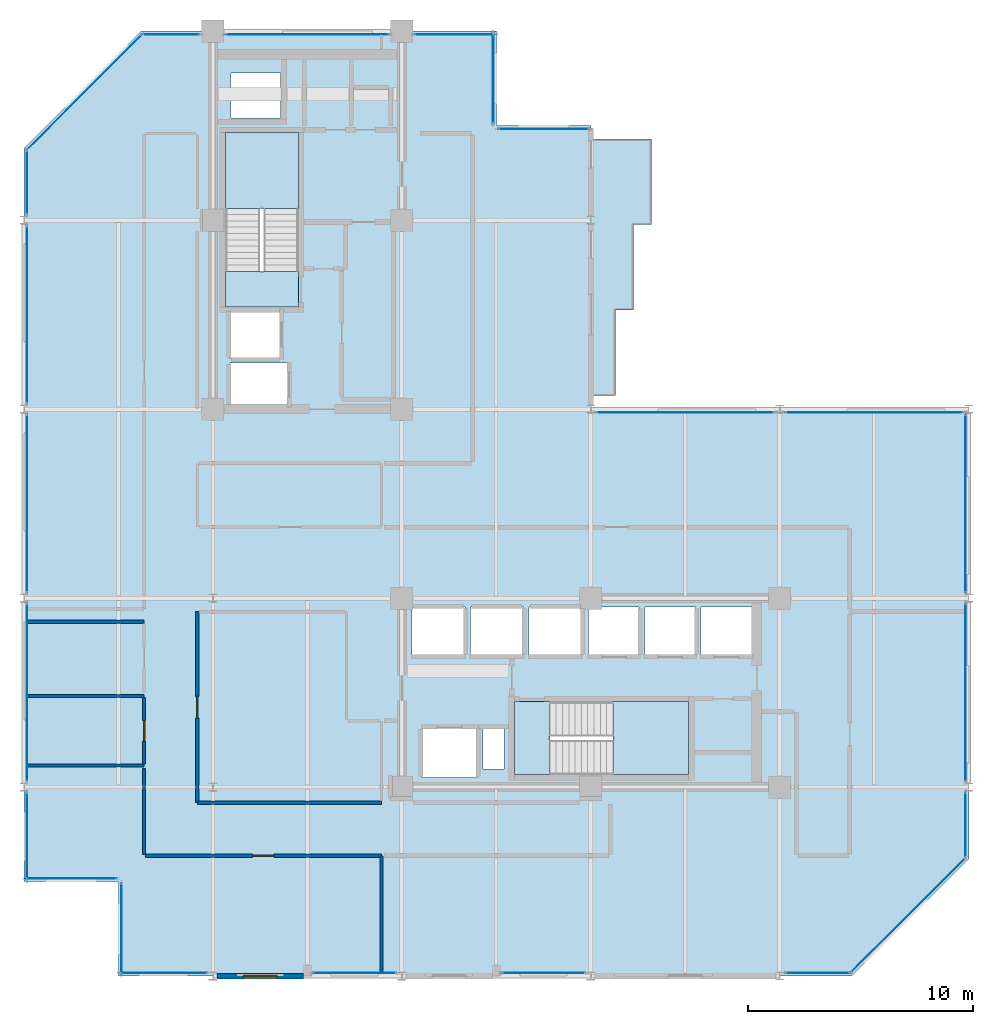
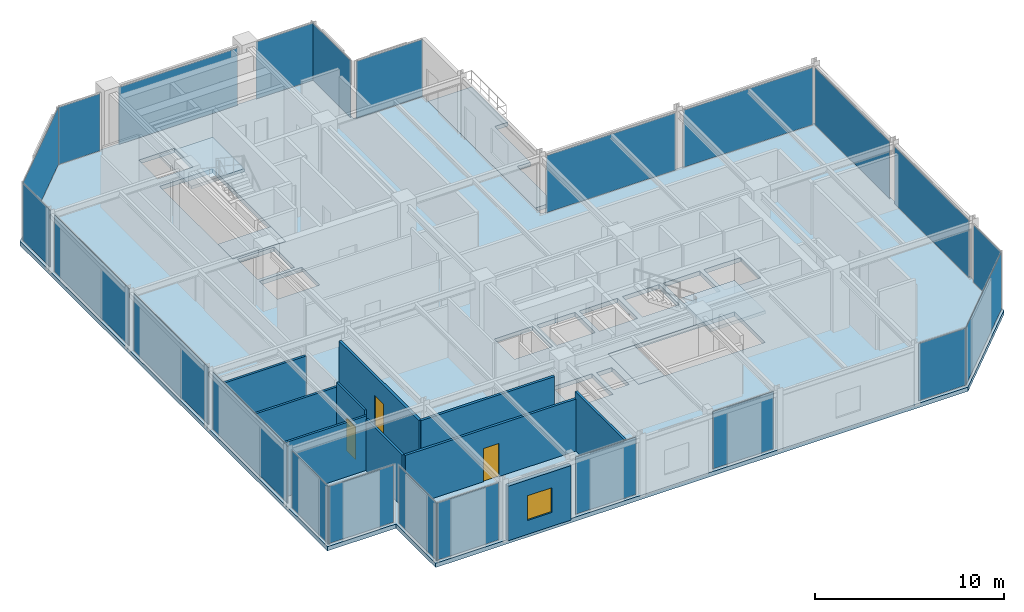
# One storey, part 19 of 25: 23 plates, 10 walls, 6 slabs, 3 doors, 1 window, 4 openings, 25 elements without a shape of their own.
"""IFC4 building model written with IfcOpenShell, lengths in metres."""

import ifcopenshell
import ifcopenshell.guid

model = None  # the IFC model being written
_history = None  # IfcOwnerHistory: only IFC2X3 demands one
_inside = {}  # id of a spatial element -> (the spatial element, [elements in it])
_under = {}  # id of a project, library or spatial element -> (it, [spatial elements below it])
_declared = {}  # id of a project -> (the project, [libraries it declares])
_typed = {}  # id of a type object -> (the type object, [elements of that type])
_made_of = {}  # id of a material, layer set ... -> (it, [elements and type objects made of it])


def new_model(schema):
    """Start an empty IFC model of exactly this schema.

    Asked for "IFC4X3", IfcOpenShell would pick the latest addendum, in which some entities
    have other attributes; the version numbers below select the first issue.
    IFC2X3 requires an IfcOwnerHistory on every rooted entity: one is made here for all.
    """
    global model, _history
    if schema == "IFC4X3":
        model = ifcopenshell.file(schema_version=(4, 3, 0, 0))
    else:
        model = ifcopenshell.file(schema=schema)
    _inside.clear()
    _under.clear()
    _declared.clear()
    _typed.clear()
    _made_of.clear()
    _history = None
    if model.schema == "IFC2X3":
        org = make("IfcOrganization", Name="unknown")
        user = make(
            "IfcPersonAndOrganization",
            ThePerson=make("IfcPerson", FamilyName="unknown"),
            TheOrganization=org,
        )
        app = make(
            "IfcApplication",
            ApplicationDeveloper=org,
            Version="unknown",
            ApplicationFullName="unknown",
            ApplicationIdentifier="unknown",
        )
        _history = make(
            "IfcOwnerHistory",
            OwningUser=user,
            OwningApplication=app,
            ChangeAction="ADDED",
            CreationDate=0,
        )
    return model


def make(cls, **values):
    """One entity of the class cls with the attributes given. An attribute that is None is left unset."""
    return model.create_entity(
        cls, **{name: value for name, value in values.items() if value is not None}
    )


def rooted(cls, **values):
    """An entity with a GlobalId (a new one), such as an element, a storey or a relation."""
    return make(cls, GlobalId=ifcopenshell.guid.new(), OwnerHistory=_history, **values)


def si_unit(unit_type, name, prefix=None):
    """IfcSIUnit, for example si_unit("LENGTHUNIT", "METRE", prefix="MILLI")."""
    return make("IfcSIUnit", UnitType=unit_type, Prefix=prefix, Name=name)


def assignment(units):
    """IfcUnitAssignment: the units of a project."""
    return None if units is None else make("IfcUnitAssignment", Units=units)


def point(xyz):
    """IfcCartesianPoint."""
    return None if xyz is None else make("IfcCartesianPoint", Coordinates=xyz)


def direction(xyz):
    """IfcDirection."""
    return None if xyz is None else make("IfcDirection", DirectionRatios=xyz)


def frame(location, z_axis=None, x_axis=None):
    """IfcAxis2Placement3D, a coordinate frame: its origin and axes. An axis left out is left unset."""
    return make(
        "IfcAxis2Placement3D",
        Location=point(location),
        Axis=direction(z_axis),
        RefDirection=direction(x_axis),
    )


def frame_2d(location, x_axis=None):
    """IfcAxis2Placement2D, a coordinate frame in the plane: its origin and x axis."""
    return make(
        "IfcAxis2Placement2D", Location=point(location), RefDirection=direction(x_axis)
    )


def origin():
    """The frame at (0, 0, 0) with its axes left unset."""
    return frame((0.0, 0.0, 0.0))


def origin_2d():
    """The frame at (0, 0) in the plane with its x axis left unset."""
    return frame_2d((0.0, 0.0))


def place(relative_to, where):
    """IfcLocalPlacement: puts the frame where relative to a parent placement (None: the world)."""
    return make(
        "IfcLocalPlacement", PlacementRelTo=relative_to, RelativePlacement=where
    )


def context(
    kind, dimensions, precision=None, world=None, true_north=None, identifier=None
):
    """IfcGeometricRepresentationContext, for example the 3D "Model" context."""
    return make(
        "IfcGeometricRepresentationContext",
        ContextIdentifier=identifier,
        ContextType=kind,
        CoordinateSpaceDimension=dimensions,
        Precision=precision,
        WorldCoordinateSystem=world,
        TrueNorth=true_north,
    )


def subcontext(parent, identifier, kind, view, scale=None):
    """IfcGeometricRepresentationSubContext, for example "Body" below "Model"."""
    return make(
        "IfcGeometricRepresentationSubContext",
        ContextIdentifier=identifier,
        ContextType=kind,
        ParentContext=parent,
        TargetScale=scale,
        TargetView=view,
    )


def project(units=None, contexts=None):
    """IfcProject with its units and contexts."""
    return rooted(
        "IfcProject",
        Name="project",
        RepresentationContexts=contexts,
        UnitsInContext=assignment(units),
    )


def spatial(cls, under=None, at=None, **own):
    """A site, building, storey or space (cls), placed at a placement, below another one or the project."""
    s = rooted(cls, ObjectPlacement=at, **own)
    if under is not None:
        _under.setdefault(under.id(), (under, []))[1].append(s)
    return s


def polyline(points):
    """IfcPolyline through the points."""
    return make("IfcPolyline", Points=[point(p) for p in points])


def profile(cls, at=None, kind="AREA", **sizes):
    """A parametric profile (cls). Its sizes go by their IFC names, for example OverallWidth=200.0."""
    return make(cls, ProfileType=kind, Position=at, **sizes)


def rectangle(**sizes):
    """IfcRectangleProfileDef."""
    return profile("IfcRectangleProfileDef", **sizes)


def outline(outer, holes=None, kind="AREA"):
    """IfcArbitraryClosedProfileDef: a profile drawn as a closed curve; with holes, ...WithVoids."""
    if holes is None:
        return make("IfcArbitraryClosedProfileDef", ProfileType=kind, OuterCurve=outer)
    return make(
        "IfcArbitraryProfileDefWithVoids",
        ProfileType=kind,
        OuterCurve=outer,
        InnerCurves=holes,
    )


def extrude(swept, where, along, depth):
    """IfcExtrudedAreaSolid: the profile swept, set in the frame where, extruded along a direction by depth."""
    return make(
        "IfcExtrudedAreaSolid",
        SweptArea=swept,
        Position=where,
        ExtrudedDirection=direction(along),
        Depth=depth,
    )


def shape(context_of_items, identifier, shape_type, items):
    """IfcShapeRepresentation: the items that make up one representation, for example the "Body"."""
    return make(
        "IfcShapeRepresentation",
        ContextOfItems=context_of_items,
        RepresentationIdentifier=identifier,
        RepresentationType=shape_type,
        Items=items,
    )


def material(Name=None, Category=None):
    """IfcMaterial."""
    return make("IfcMaterial", Name=Name, Category=Category)


def layer(
    of_material, thickness, ventilated=None, Name=None, Category=None, Priority=None
):
    """IfcMaterialLayer: one layer of a wall or slab, of a material (None: an air gap)."""
    return make(
        "IfcMaterialLayer",
        Material=of_material,
        LayerThickness=thickness,
        IsVentilated=ventilated,
        Name=Name,
        Category=Category,
        Priority=Priority,
    )


def layer_set(layers, Name=None):
    """IfcMaterialLayerSet."""
    return make("IfcMaterialLayerSet", MaterialLayers=layers, LayerSetName=Name)


def made_of(thing, what):
    """Note that an element or type object is made of a material, layer set ...; save() writes the relation."""
    if what is not None:
        _made_of.setdefault(what.id(), (what, []))[1].append(thing)
    return thing


def type_object(cls, material=None, **own):
    """A type object (cls), such as IfcWallType, which elements share."""
    return made_of(rooted(cls, **own), material)


def element(
    cls,
    number,
    at=None,
    inside=None,
    cuts=None,
    type_object=None,
    material=None,
    context=None,
    identifier="Body",
    shape_type=None,
    held_by="IfcProductDefinitionShape",
    body=None,
    shapes=None,
    **own,
):
    """One element of the class cls, such as IfcWall. Its Tag is "e" and its number.

    at: its placement. inside: the storey or other place that contains it. cuts: it is an
    opening in that element (IfcRelVoidsElement). A single representation is given by context,
    identifier, shape_type and body (its items); several are given by shapes. held_by: the class
    of the entity that holds the representations. save() writes the other relations.
    """
    e = rooted(cls, Tag="e%d" % number, ObjectPlacement=at, **own)
    if body is not None:
        shapes = [shape(context, identifier, shape_type, body)]
    if shapes is not None:
        e.Representation = make(held_by, Representations=shapes)
    if inside is not None:
        _inside.setdefault(inside.id(), (inside, []))[1].append(e)
    if cuts is not None:
        rooted(
            "IfcRelVoidsElement", RelatingBuildingElement=cuts, RelatedOpeningElement=e
        )
    if type_object is not None:
        _typed.setdefault(type_object.id(), (type_object, []))[1].append(e)
    return made_of(e, material)


def fill(opening, filler):
    """IfcRelFillsElement: the door or window that sits in an opening."""
    return rooted(
        "IfcRelFillsElement",
        RelatingOpeningElement=opening,
        RelatedBuildingElement=filler,
    )


def aggregate(whole, parts):
    """IfcRelAggregates: a whole, such as a stair, and the parts it consists of."""
    return rooted("IfcRelAggregates", RelatingObject=whole, RelatedObjects=parts)


def save(model, path):
    """Write the relations noted so far, then the file.

    IfcRelAggregates (storeys below a building ...), IfcRelContainedInSpatialStructure (elements
    in a storey), IfcRelDefinesByType, IfcRelAssociatesMaterial and IfcRelDeclares: one each for
    every whole, place, type object, material and project.
    """
    for whole, parts in _under.values():
        aggregate(whole, parts)
    for where, things in _inside.values():
        rooted(
            "IfcRelContainedInSpatialStructure",
            RelatedElements=things,
            RelatingStructure=where,
        )
    for kind, things in _typed.values():
        rooted("IfcRelDefinesByType", RelatedObjects=things, RelatingType=kind)
    for what, things in _made_of.values():
        rooted("IfcRelAssociatesMaterial", RelatedObjects=things, RelatingMaterial=what)
    for by, libraries in _declared.values():
        rooted("IfcRelDeclares", RelatingContext=by, RelatedDefinitions=libraries)
    model.write(path)


model = new_model("IFC4")

# Units and contexts
model_context = context("Model", 3, precision=1e-05, world=origin(), true_north=direction((0.0, 1.0)))
body_context = subcontext(model_context, "Body", "Model", "MODEL_VIEW")
ifc_project = project(units=[si_unit("LENGTHUNIT", "METRE"), si_unit("AREAUNIT", "SQUARE_METRE"), si_unit("VOLUMEUNIT", "CUBIC_METRE"), si_unit("PLANEANGLEUNIT", "RADIAN"), si_unit("MASSUNIT", "GRAM", prefix="KILO")], contexts=[model_context])

# Site, building, storey
site_placement = place(None, origin())
site = spatial("IfcSite", under=ifc_project, at=site_placement, CompositionType="ELEMENT")
building_placement = place(site_placement, origin())
building = spatial("IfcBuilding", under=site, at=building_placement, Name="Nerrivon Quay Data Exchange", CompositionType="ELEMENT")
storey_placement = place(building_placement, frame((0.0, 0.0, 224.699951171875)))
storey = spatial("IfcBuildingStorey", under=building, at=storey_placement, Name="L53", CompositionType="ELEMENT", Elevation=224.699951171875)

# Curtain wall, plate
ifc_material_1 = material(Name="Anodised aluminium 6063-T6", Category="aluminium")
ifc_layer_1 = layer(ifc_material_1, 0.195068359375)
ifc_layer_set_1 = layer_set([ifc_layer_1], Name="Anodised aluminium 6063-T6")
curtain_wall_type = type_object("IfcCurtainWallType", Name="CW-SYS-06", PredefinedType="NOTDEFINED", material=ifc_layer_set_1)
curtain_wall_1_placement = place(storey_placement, origin())
curtain_wall_1 = element("IfcCurtainWall", 1, at=curtain_wall_1_placement, inside=storey, type_object=curtain_wall_type, Name="L53 Unitised Curtain Wall 1", PredefinedType="NOTDEFINED")
ifc_material_2 = material(Name="Double-glazed low-E solar control glass", Category="glass")
ifc_layer_2 = layer(ifc_material_2, 0.028076171875)
ifc_layer_set_2 = layer_set([ifc_layer_2], Name="Double-glazed low-E solar control glass")
plate_type = type_object("IfcPlateType", Name="CWP-GLZ-28", PredefinedType="CURTAIN_PANEL", material=ifc_layer_set_2)
plate_1_placement = place(storey_placement, frame((39.301025390625, 2.698974609375, 0.06494140625), z_axis=(0.0, 0.0, 1.0), x_axis=(-0.707106781187, -0.707106781187, 0.0)))
plate_1 = element("IfcPlate", 2, at=plate_1_placement, type_object=plate_type, Name="CW06 panel 1.1", PredefinedType="CURTAIN_PANEL", context=body_context, shape_type="SweptSolid", body=[
    extrude(rectangle(XDim=7.203857421875, YDim=0.028076171875, at=origin_2d()), origin(), (0.0, 0.0, 1.0), 3.695068359375),
])
aggregate(curtain_wall_1, [plate_1])

curtain_wall_2_placement = place(storey_placement, origin())
curtain_wall_2 = element("IfcCurtainWall", 3, at=curtain_wall_2_placement, inside=storey, type_object=curtain_wall_type, Name="L53 Unitised Curtain Wall 2", PredefinedType="NOTDEFINED")
plate_2_placement = place(storey_placement, frame((35.28759765625, 0.139892578125, 0.06494140625), z_axis=(0.0, 0.0, 1.0), x_axis=(-1.0, 0.0, 0.0)))
plate_2 = element("IfcPlate", 4, at=plate_2_placement, type_object=plate_type, Name="CW06 panel 1.1", PredefinedType="CURTAIN_PANEL", context=body_context, shape_type="SweptSolid", body=[
    extrude(rectangle(XDim=2.875, YDim=0.028076171875, at=origin_2d()), origin(), (0.0, 0.0, 1.0), 3.695068359375),
])
aggregate(curtain_wall_2, [plate_2])

curtain_wall_3_placement = place(storey_placement, origin())
curtain_wall_3 = element("IfcCurtainWall", 5, at=curtain_wall_3_placement, inside=storey, type_object=curtain_wall_type, Name="L53 Unitised Curtain Wall 4", PredefinedType="NOTDEFINED")
plate_3_placement = place(storey_placement, frame((23.10009765625, 0.139892578125, 0.06494140625), z_axis=(0.0, 0.0, 1.0), x_axis=(-1.0, 0.0, 0.0)))
plate_3 = element("IfcPlate", 6, at=plate_3_placement, type_object=plate_type, Name="CW06 panel 1.1", PredefinedType="CURTAIN_PANEL", context=body_context, shape_type="SweptSolid", body=[
    extrude(rectangle(XDim=3.699951171875, YDim=0.028076171875, at=origin_2d()), origin(), (0.0, 0.0, 1.0), 3.695068359375),
])
aggregate(curtain_wall_3, [plate_3])

curtain_wall_4_placement = place(storey_placement, origin())
curtain_wall_4 = element("IfcCurtainWall", 7, at=curtain_wall_4_placement, inside=storey, type_object=curtain_wall_type, Name="L53 Unitised Curtain Wall 6", PredefinedType="NOTDEFINED")
plate_4_placement = place(storey_placement, frame((14.699951171875, 0.139892578125, 0.06494140625), z_axis=(0.0, 0.0, 1.0), x_axis=(-1.0, 0.0, 0.0)))
plate_4 = element("IfcPlate", 8, at=plate_4_placement, type_object=plate_type, Name="CW06 panel 1.1", PredefinedType="CURTAIN_PANEL", context=body_context, shape_type="SweptSolid", body=[
    extrude(rectangle(XDim=3.699951171875, YDim=0.028076171875, at=origin_2d()), origin(), (0.0, 0.0, 1.0), 3.695068359375),
])
aggregate(curtain_wall_4, [plate_4])

curtain_wall_5_placement = place(storey_placement, origin())
curtain_wall_5 = element("IfcCurtainWall", 9, at=curtain_wall_5_placement, inside=storey, type_object=curtain_wall_type, Name="L53 Unitised Curtain Wall 8", PredefinedType="NOTDEFINED")
plate_5_placement = place(storey_placement, frame((6.21240234375, 0.139892578125, 0.06494140625), z_axis=(0.0, 0.0, 1.0), x_axis=(-1.0, 0.0, 0.0)))
plate_5 = element("IfcPlate", 10, at=plate_5_placement, type_object=plate_type, Name="CW06 panel 1.1", PredefinedType="CURTAIN_PANEL", context=body_context, shape_type="SweptSolid", body=[
    extrude(rectangle(XDim=3.875, YDim=0.028076171875, at=origin_2d()), origin(), (0.0, 0.0, 1.0), 3.695068359375),
])
aggregate(curtain_wall_5, [plate_5])

curtain_wall_6_placement = place(storey_placement, origin())
curtain_wall_6 = element("IfcCurtainWall", 11, at=curtain_wall_6_placement, inside=storey, type_object=curtain_wall_type, Name="L53 Unitised Curtain Wall 9", PredefinedType="NOTDEFINED")
plate_6_placement = place(storey_placement, frame((4.340087890625, 2.10009765625, 0.06494140625), z_axis=(0.0, 0.0, 1.0), x_axis=(0.0, 1.0, 0.0)))
plate_6 = element("IfcPlate", 12, at=plate_6_placement, type_object=plate_type, Name="CW06 panel 1.1", PredefinedType="CURTAIN_PANEL", context=body_context, shape_type="SweptSolid", body=[
    extrude(rectangle(XDim=4.050048828125, YDim=0.028076171875, at=origin_2d()), origin(), (0.0, 0.0, 1.0), 3.695068359375),
])
aggregate(curtain_wall_6, [plate_6])

curtain_wall_7_placement = place(storey_placement, origin())
curtain_wall_7 = element("IfcCurtainWall", 13, at=curtain_wall_7_placement, inside=storey, type_object=curtain_wall_type, Name="L53 Unitised Curtain Wall 10", PredefinedType="NOTDEFINED")
plate_7_placement = place(storey_placement, frame((2.10009765625, 4.340087890625, 0.06494140625), z_axis=(0.0, 0.0, 1.0), x_axis=(-1.0, 0.0, 0.0)))
plate_7 = element("IfcPlate", 14, at=plate_7_placement, type_object=plate_type, Name="CW06 panel 1.1", PredefinedType="CURTAIN_PANEL", context=body_context, shape_type="SweptSolid", body=[
    extrude(rectangle(XDim=4.050048828125, YDim=0.028076171875, at=origin_2d()), origin(), (0.0, 0.0, 1.0), 3.695068359375),
])
aggregate(curtain_wall_7, [plate_7])

curtain_wall_8_placement = place(storey_placement, origin())
curtain_wall_8 = element("IfcCurtainWall", 15, at=curtain_wall_8_placement, inside=storey, type_object=curtain_wall_type, Name="L53 Unitised Curtain Wall 11", PredefinedType="NOTDEFINED")
plate_8_placement = place(storey_placement, frame((0.139892578125, 6.21240234375, 0.06494140625), z_axis=(0.0, 0.0, 1.0), x_axis=(0.0, 1.0, 0.0)))
plate_8 = element("IfcPlate", 16, at=plate_8_placement, type_object=plate_type, Name="CW06 panel 1.1", PredefinedType="CURTAIN_PANEL", context=body_context, shape_type="SweptSolid", body=[
    extrude(rectangle(XDim=3.875, YDim=0.028076171875, at=origin_2d()), origin(), (0.0, 0.0, 1.0), 3.695068359375),
])
aggregate(curtain_wall_8, [plate_8])

curtain_wall_9_placement = place(storey_placement, origin())
curtain_wall_9 = element("IfcCurtainWall", 17, at=curtain_wall_9_placement, inside=storey, type_object=curtain_wall_type, Name="L53 Unitised Curtain Wall 12", PredefinedType="NOTDEFINED")
plate_9_placement = place(storey_placement, frame((0.139892578125, 12.60009765625, 0.06494140625), z_axis=(0.0, 0.0, 1.0), x_axis=(0.0, 1.0, 0.0)))
plate_9 = element("IfcPlate", 18, at=plate_9_placement, type_object=plate_type, Name="CW06 panel 1.1", PredefinedType="CURTAIN_PANEL", context=body_context, shape_type="SweptSolid", body=[
    extrude(rectangle(XDim=7.89990234375, YDim=0.028076171875, at=origin_2d()), origin(), (0.0, 0.0, 1.0), 3.695068359375),
])
aggregate(curtain_wall_9, [plate_9])

curtain_wall_10_placement = place(storey_placement, origin())
curtain_wall_10 = element("IfcCurtainWall", 19, at=curtain_wall_10_placement, inside=storey, type_object=curtain_wall_type, Name="L53 Unitised Curtain Wall 13", PredefinedType="NOTDEFINED")
plate_10_placement = place(storey_placement, frame((0.139892578125, 21.0, 0.06494140625), z_axis=(0.0, 0.0, 1.0), x_axis=(0.0, 1.0, 0.0)))
plate_10 = element("IfcPlate", 20, at=plate_10_placement, type_object=plate_type, Name="CW06 panel 1.1", PredefinedType="CURTAIN_PANEL", context=body_context, shape_type="SweptSolid", body=[
    extrude(rectangle(XDim=7.89990234375, YDim=0.028076171875, at=origin_2d()), origin(), (0.0, 0.0, 1.0), 3.695068359375),
])
aggregate(curtain_wall_10, [plate_10])

curtain_wall_11_placement = place(storey_placement, origin())
curtain_wall_11 = element("IfcCurtainWall", 21, at=curtain_wall_11_placement, inside=storey, type_object=curtain_wall_type, Name="L53 Unitised Curtain Wall 14", PredefinedType="NOTDEFINED")
plate_11_placement = place(storey_placement, frame((0.139892578125, 29.39990234375, 0.06494140625), z_axis=(0.0, 0.0, 1.0), x_axis=(0.0, 1.0, 0.0)))
plate_11 = element("IfcPlate", 22, at=plate_11_placement, type_object=plate_type, Name="CW06 panel 1.1", PredefinedType="CURTAIN_PANEL", context=body_context, shape_type="SweptSolid", body=[
    extrude(rectangle(XDim=7.89990234375, YDim=0.028076171875, at=origin_2d()), origin(), (0.0, 0.0, 1.0), 3.695068359375),
])
aggregate(curtain_wall_11, [plate_11])

curtain_wall_12_placement = place(storey_placement, origin())
curtain_wall_12 = element("IfcCurtainWall", 23, at=curtain_wall_12_placement, inside=storey, type_object=curtain_wall_type, Name="L53 Unitised Curtain Wall 15", PredefinedType="NOTDEFINED")
plate_12_placement = place(storey_placement, frame((0.139892578125, 35.28759765625, 0.06494140625), z_axis=(0.0, 0.0, 1.0), x_axis=(0.0, 1.0, 0.0)))
plate_12 = element("IfcPlate", 24, at=plate_12_placement, type_object=plate_type, Name="CW06 panel 1.1", PredefinedType="CURTAIN_PANEL", context=body_context, shape_type="SweptSolid", body=[
    extrude(rectangle(XDim=2.875, YDim=0.028076171875, at=origin_2d()), origin(), (0.0, 0.0, 1.0), 3.695068359375),
])
aggregate(curtain_wall_12, [plate_12])

curtain_wall_13_placement = place(storey_placement, origin())
curtain_wall_13 = element("IfcCurtainWall", 25, at=curtain_wall_13_placement, inside=storey, type_object=curtain_wall_type, Name="L53 Unitised Curtain Wall 16", PredefinedType="NOTDEFINED")
plate_13_placement = place(storey_placement, frame((2.698974609375, 39.301025390625, 0.06494140625), z_axis=(0.0, 0.0, 1.0), x_axis=(0.707106781187, 0.707106781187, 0.0)))
plate_13 = element("IfcPlate", 26, at=plate_13_placement, type_object=plate_type, Name="CW06 panel 1.1", PredefinedType="CURTAIN_PANEL", context=body_context, shape_type="SweptSolid", body=[
    extrude(rectangle(XDim=7.203857421875, YDim=0.028076171875, at=origin_2d()), origin(), (0.0, 0.0, 1.0), 3.695068359375),
])
aggregate(curtain_wall_13, [plate_13])

curtain_wall_14_placement = place(storey_placement, origin())
curtain_wall_14 = element("IfcCurtainWall", 27, at=curtain_wall_14_placement, inside=storey, type_object=curtain_wall_type, Name="L53 Unitised Curtain Wall 17", PredefinedType="NOTDEFINED")
plate_14_placement = place(storey_placement, frame((6.550048828125, 41.860107421875, 0.06494140625), z_axis=(0.0, 0.0, 1.0), x_axis=(1.0, 0.0, 0.0)))
plate_14 = element("IfcPlate", 28, at=plate_14_placement, type_object=plate_type, Name="CW06 panel 1.1", PredefinedType="CURTAIN_PANEL", context=body_context, shape_type="SweptSolid", body=[
    extrude(rectangle(XDim=2.550048828125, YDim=0.028076171875, at=origin_2d()), origin(), (0.0, 0.0, 1.0), 3.695068359375),
])
aggregate(curtain_wall_14, [plate_14])

curtain_wall_15_placement = place(storey_placement, origin())
curtain_wall_15 = element("IfcCurtainWall", 29, at=curtain_wall_15_placement, inside=storey, type_object=curtain_wall_type, Name="L53 Unitised Curtain Wall 18", PredefinedType="NOTDEFINED")
plate_15_placement = place(storey_placement, frame((12.60009765625, 41.860107421875, 0.06494140625), z_axis=(0.0, 0.0, 1.0), x_axis=(1.0, 0.0, 0.0)))
plate_15 = element("IfcPlate", 30, at=plate_15_placement, type_object=plate_type, Name="CW06 panel 1.1", PredefinedType="CURTAIN_PANEL", context=body_context, shape_type="SweptSolid", body=[
    extrude(rectangle(XDim=7.25, YDim=0.028076171875, at=origin_2d()), origin(), (0.0, 0.0, 1.0), 3.695068359375),
])
aggregate(curtain_wall_15, [plate_15])

curtain_wall_16_placement = place(storey_placement, origin())
curtain_wall_16 = element("IfcCurtainWall", 31, at=curtain_wall_16_placement, inside=storey, type_object=curtain_wall_type, Name="L53 Unitised Curtain Wall 19", PredefinedType="NOTDEFINED")
plate_16_placement = place(storey_placement, frame((19.14990234375, 41.860107421875, 0.06494140625), z_axis=(0.0, 0.0, 1.0), x_axis=(1.0, 0.0, 0.0)))
plate_16 = element("IfcPlate", 32, at=plate_16_placement, type_object=plate_type, Name="CW06 panel 1.1", PredefinedType="CURTAIN_PANEL", context=body_context, shape_type="SweptSolid", body=[
    extrude(rectangle(XDim=3.550048828125, YDim=0.028076171875, at=origin_2d()), origin(), (0.0, 0.0, 1.0), 3.695068359375),
])
aggregate(curtain_wall_16, [plate_16])

curtain_wall_17_placement = place(storey_placement, origin())
curtain_wall_17 = element("IfcCurtainWall", 33, at=curtain_wall_17_placement, inside=storey, type_object=curtain_wall_type, Name="L53 Unitised Curtain Wall 20", PredefinedType="NOTDEFINED")
plate_17_placement = place(storey_placement, frame((20.860107421875, 39.89990234375, 0.06494140625), z_axis=(0.0, 0.0, 1.0), x_axis=(0.0, -1.0, 0.0)))
plate_17 = element("IfcPlate", 34, at=plate_17_placement, type_object=plate_type, Name="CW06 panel 1.1", PredefinedType="CURTAIN_PANEL", context=body_context, shape_type="SweptSolid", body=[
    extrude(rectangle(XDim=4.050048828125, YDim=0.028076171875, at=origin_2d()), origin(), (0.0, 0.0, 1.0), 3.695068359375),
])
aggregate(curtain_wall_17, [plate_17])

curtain_wall_18_placement = place(storey_placement, origin())
curtain_wall_18 = element("IfcCurtainWall", 35, at=curtain_wall_18_placement, inside=storey, type_object=curtain_wall_type, Name="L53 Unitised Curtain Wall 21", PredefinedType="NOTDEFINED")
plate_18_placement = place(storey_placement, frame((23.10009765625, 37.659912109375, 0.06494140625), z_axis=(0.0, 0.0, 1.0), x_axis=(1.0, 0.0, 0.0)))
plate_18 = element("IfcPlate", 36, at=plate_18_placement, type_object=plate_type, Name="CW06 panel 1.1", PredefinedType="CURTAIN_PANEL", context=body_context, shape_type="SweptSolid", body=[
    extrude(rectangle(XDim=4.050048828125, YDim=0.028076171875, at=origin_2d()), origin(), (0.0, 0.0, 1.0), 3.695068359375),
])
aggregate(curtain_wall_18, [plate_18])

curtain_wall_19_placement = place(storey_placement, origin())
curtain_wall_19 = element("IfcCurtainWall", 37, at=curtain_wall_19_placement, inside=storey, type_object=curtain_wall_type, Name="L53 Unitised Curtain Wall 24", PredefinedType="NOTDEFINED")
plate_19_placement = place(storey_placement, frame((29.39990234375, 25.06005859375, 0.06494140625), z_axis=(0.0, 0.0, 1.0), x_axis=(1.0, 0.0, 0.0)))
plate_19 = element("IfcPlate", 38, at=plate_19_placement, type_object=plate_type, Name="CW06 panel 1.1", PredefinedType="CURTAIN_PANEL", context=body_context, shape_type="SweptSolid", body=[
    extrude(rectangle(XDim=7.89990234375, YDim=0.028076171875, at=origin_2d()), origin(), (0.0, 0.0, 1.0), 3.695068359375),
])
aggregate(curtain_wall_19, [plate_19])

curtain_wall_20_placement = place(storey_placement, origin())
curtain_wall_20 = element("IfcCurtainWall", 39, at=curtain_wall_20_placement, inside=storey, type_object=curtain_wall_type, Name="L53 Unitised Curtain Wall 25", PredefinedType="NOTDEFINED")
plate_20_placement = place(storey_placement, frame((37.800048828125, 25.06005859375, 0.06494140625), z_axis=(0.0, 0.0, 1.0), x_axis=(1.0, 0.0, 0.0)))
plate_20 = element("IfcPlate", 40, at=plate_20_placement, type_object=plate_type, Name="CW06 panel 1.1", PredefinedType="CURTAIN_PANEL", context=body_context, shape_type="SweptSolid", body=[
    extrude(rectangle(XDim=7.89990234375, YDim=0.028076171875, at=origin_2d()), origin(), (0.0, 0.0, 1.0), 3.695068359375),
])
aggregate(curtain_wall_20, [plate_20])

curtain_wall_21_placement = place(storey_placement, origin())
curtain_wall_21 = element("IfcCurtainWall", 41, at=curtain_wall_21_placement, inside=storey, type_object=curtain_wall_type, Name="L53 Unitised Curtain Wall 26", PredefinedType="NOTDEFINED")
plate_21_placement = place(storey_placement, frame((41.860107421875, 21.0, 0.06494140625), z_axis=(0.0, 0.0, 1.0), x_axis=(0.0, -1.0, 0.0)))
plate_21 = element("IfcPlate", 42, at=plate_21_placement, type_object=plate_type, Name="CW06 panel 1.1", PredefinedType="CURTAIN_PANEL", context=body_context, shape_type="SweptSolid", body=[
    extrude(rectangle(XDim=7.89990234375, YDim=0.028076171875, at=origin_2d()), origin(), (0.0, 0.0, 1.0), 3.695068359375),
])
aggregate(curtain_wall_21, [plate_21])

curtain_wall_22_placement = place(storey_placement, origin())
curtain_wall_22 = element("IfcCurtainWall", 43, at=curtain_wall_22_placement, inside=storey, type_object=curtain_wall_type, Name="L53 Unitised Curtain Wall 27", PredefinedType="NOTDEFINED")
plate_22_placement = place(storey_placement, frame((41.860107421875, 12.60009765625, 0.06494140625), z_axis=(0.0, 0.0, 1.0), x_axis=(0.0, -1.0, 0.0)))
plate_22 = element("IfcPlate", 44, at=plate_22_placement, type_object=plate_type, Name="CW06 panel 1.1", PredefinedType="CURTAIN_PANEL", context=body_context, shape_type="SweptSolid", body=[
    extrude(rectangle(XDim=7.89990234375, YDim=0.028076171875, at=origin_2d()), origin(), (0.0, 0.0, 1.0), 3.695068359375),
])
aggregate(curtain_wall_22, [plate_22])

curtain_wall_23_placement = place(storey_placement, origin())
curtain_wall_23 = element("IfcCurtainWall", 45, at=curtain_wall_23_placement, inside=storey, type_object=curtain_wall_type, Name="L53 Unitised Curtain Wall 28", PredefinedType="NOTDEFINED")
plate_23_placement = place(storey_placement, frame((41.860107421875, 6.71240234375, 0.06494140625), z_axis=(0.0, 0.0, 1.0), x_axis=(0.0, -1.0, 0.0)))
plate_23 = element("IfcPlate", 46, at=plate_23_placement, type_object=plate_type, Name="CW06 panel 1.1", PredefinedType="CURTAIN_PANEL", context=body_context, shape_type="SweptSolid", body=[
    extrude(rectangle(XDim=2.875, YDim=0.028076171875, at=origin_2d()), origin(), (0.0, 0.0, 1.0), 3.695068359375),
])
aggregate(curtain_wall_23, [plate_23])

# Slab
ifc_material_3 = material(Name="Precast white architectural concrete N50 (50 MPa)", Category="concrete")
ifc_layer_3 = layer(ifc_material_3, 0.25)
ifc_layer_set_3 = layer_set([ifc_layer_3], Name="Precast white architectural concrete N50 (50 MPa)")
slab_type_1 = type_object("IfcSlabType", Name="SLB-BAL-250", PredefinedType="FLOOR", material=ifc_layer_set_3)
slab_1_placement = place(storey_placement, frame((0.0, 0.0, -0.25)))
element("IfcSlab", 47, at=slab_1_placement, inside=storey, type_object=slab_type_1, Name="L53 Waterfront Subtropical Verandah", PredefinedType="FLOOR", context=body_context, shape_type="SweptSolid", body=[
    extrude(outline(polyline([(26.300048828125, 29.60009765625), (27.10009765625, 29.60009765625), (27.10009765625, 33.39990234375), (27.89990234375, 33.39990234375), (27.89990234375, 37.199951171875), (25.199951171875, 37.199951171875), (25.199951171875, 33.39990234375), (25.199951171875, 29.60009765625), (25.199951171875, 25.800048828125), (26.300048828125, 25.800048828125), (26.300048828125, 29.60009765625)])), origin(), (0.0, 0.0, 1.0), 0.25),
])

# Stair, slab
ifc_material_4 = material(Name="Concrete N50 (50 MPa)", Category="concrete")
stair_type = type_object("IfcStairType", Name="STAIR-DOG-41", PredefinedType="HALF_TURN_STAIR", material=ifc_material_4)
stair_1_placement = place(storey_placement, origin())
stair_1 = element("IfcStair", 48, at=stair_1_placement, inside=storey, type_object=stair_type, Name="L53 West Core Fire Stair ST01", PredefinedType="HALF_TURN_STAIR")
ifc_layer_4 = layer(ifc_material_4, 0.199951171875)
ifc_layer_set_4 = layer_set([ifc_layer_4], Name="Concrete N50 (50 MPa)")
slab_type_2 = type_object("IfcSlabType", Name="SLB-LAND-200", PredefinedType="LANDING", material=ifc_layer_set_4)
slab_2_placement = place(storey_placement, frame((0.0, 0.0, 1.85009765625)))
slab_2 = element("IfcSlab", 49, at=slab_2_placement, type_object=slab_type_2, Name="ST01 landing 1", PredefinedType="LANDING", context=body_context, shape_type="SweptSolid", body=[
    extrude(outline(polyline([(12.199951171875, 34.1298828125), (12.199951171875, 37.5), (8.949951171875, 37.5), (8.949951171875, 34.1298828125), (12.199951171875, 34.1298828125)])), origin(), (0.0, 0.0, 1.0), 0.199951171875),
])
aggregate(stair_1, [slab_2])

# Slab
slab_3_placement = place(storey_placement, frame((0.0, 0.0, -0.199951171875)))
element("IfcSlab", 50, at=slab_3_placement, inside=storey, type_object=slab_type_2, Name="L53 ST01 floor landing", PredefinedType="LANDING", context=body_context, shape_type="SweptSolid", body=[
    extrude(outline(polyline([(12.199951171875, 29.75), (12.199951171875, 31.330078125), (8.949951171875, 31.330078125), (8.949951171875, 29.75), (12.199951171875, 29.75)])), origin(), (0.0, 0.0, 1.0), 0.199951171875),
])

# Stair, slab
stair_2_placement = place(storey_placement, origin())
stair_2 = element("IfcStair", 51, at=stair_2_placement, inside=storey, type_object=stair_type, Name="L53 East Core Fire Stair ST02", PredefinedType="HALF_TURN_STAIR")
slab_4_placement = place(storey_placement, frame((0.0, 0.0, 1.85009765625)))
slab_4 = element("IfcSlab", 52, at=slab_4_placement, type_object=slab_type_2, Name="ST02 landing 1", PredefinedType="LANDING", context=body_context, shape_type="SweptSolid", body=[
    extrude(outline(polyline([(26.179931640625, 8.949951171875), (29.550048828125, 8.949951171875), (29.550048828125, 12.199951171875), (26.179931640625, 12.199951171875), (26.179931640625, 8.949951171875)])), origin(), (0.0, 0.0, 1.0), 0.199951171875),
])
aggregate(stair_2, [slab_4])

# Slabs
slab_5_placement = place(storey_placement, frame((0.0, 0.0, -0.199951171875)))
element("IfcSlab", 53, at=slab_5_placement, inside=storey, type_object=slab_type_2, Name="L53 ST02 floor landing", PredefinedType="LANDING", context=body_context, shape_type="SweptSolid", body=[
    extrude(outline(polyline([(21.800048828125, 8.949951171875), (23.3798828125, 8.949951171875), (23.3798828125, 12.199951171875), (21.800048828125, 12.199951171875), (21.800048828125, 8.949951171875)])), origin(), (0.0, 0.0, 1.0), 0.199951171875),
])
ifc_layer_5 = layer(ifc_material_4, 0.27490234375)
ifc_layer_set_5 = layer_set([ifc_layer_5], Name="Concrete N50 (50 MPa)")
slab_type_3 = type_object("IfcSlabType", Name="SLB-TOW-275", PredefinedType="FLOOR", material=ifc_layer_set_5)
slab_6_placement = place(storey_placement, frame((0.0, 0.0, -0.27490234375)))
element("IfcSlab", 54, at=slab_6_placement, inside=storey, type_object=slab_type_3, Name="L53 Primary Structural Slab", PredefinedType="FLOOR", context=body_context, shape_type="SweptSolid", body=[
    extrude(outline(polyline([(42.0, 25.199951171875), (25.199951171875, 25.199951171875), (25.199951171875, 37.800048828125), (21.0, 37.800048828125), (21.0, 42.0), (5.199951171875, 42.0), (0.0, 36.800048828125), (0.0, 4.199951171875), (4.199951171875, 4.199951171875), (4.199951171875, 0.0), (36.800048828125, 0.0), (42.0, 5.199951171875), (42.0, 25.199951171875)]), holes=[polyline([(8.949951171875, 29.75), (8.949951171875, 37.5), (12.199951171875, 37.5), (12.199951171875, 29.75), (8.949951171875, 29.75)]), polyline([(21.800048828125, 12.199951171875), (29.550048828125, 12.199951171875), (29.550048828125, 8.949951171875), (21.800048828125, 8.949951171875), (21.800048828125, 12.199951171875)]), polyline([(30.10009765625, 16.39990234375), (32.35009765625, 16.39990234375), (32.35009765625, 14.25), (30.10009765625, 14.25), (30.10009765625, 16.39990234375)]), polyline([(27.60009765625, 16.39990234375), (29.85009765625, 16.39990234375), (29.85009765625, 14.25), (27.60009765625, 14.25), (27.60009765625, 16.39990234375)]), polyline([(25.10009765625, 14.25), (25.10009765625, 16.39990234375), (27.35009765625, 16.39990234375), (27.35009765625, 14.25), (25.10009765625, 14.25)]), polyline([(22.449951171875, 16.39990234375), (24.800048828125, 16.39990234375), (24.800048828125, 14.25), (22.449951171875, 14.25), (22.449951171875, 16.39990234375)]), polyline([(19.85009765625, 16.39990234375), (22.199951171875, 16.39990234375), (22.199951171875, 14.25), (19.85009765625, 14.25), (19.85009765625, 16.39990234375)]), polyline([(20.39990234375, 9.199951171875), (20.39990234375, 11.0), (21.35009765625, 11.0), (21.35009765625, 9.199951171875), (20.39990234375, 9.199951171875)]), polyline([(17.699951171875, 8.830078125), (17.699951171875, 11.030029296875), (20.14990234375, 11.030029296875), (20.14990234375, 8.830078125), (17.699951171875, 8.830078125)]), polyline([(17.25, 14.25), (17.25, 16.39990234375), (19.60009765625, 16.39990234375), (19.60009765625, 14.25), (17.25, 14.25)]), polyline([(9.14990234375, 27.25), (11.75, 27.25), (11.75, 25.35009765625), (9.14990234375, 25.35009765625), (9.14990234375, 27.25)]), polyline([(9.14990234375, 29.60009765625), (11.39990234375, 29.60009765625), (11.39990234375, 27.449951171875), (9.14990234375, 27.449951171875), (9.14990234375, 29.60009765625)]), polyline([(9.199951171875, 38.14990234375), (9.199951171875, 40.14990234375), (11.39990234375, 40.14990234375), (11.39990234375, 38.14990234375), (9.199951171875, 38.14990234375)])]), origin(), (0.0, 0.0, 1.0), 0.27490234375),
])

# Wall, opening, window
ifc_material_5 = material(Name="Architectural terracotta precast concrete N50 (50 MPa)", Category="masonry")
ifc_layer_6 = layer(ifc_material_5, 0.239990234375)
ifc_layer_set_6 = layer_set([ifc_layer_6], Name="Architectural terracotta precast concrete N50 (50 MPa)")
wall_type_1 = type_object("IfcWallType", Name="EW-PREC-240", PredefinedType="STANDARD", material=ifc_layer_set_6)
wall_1_placement = place(storey_placement, frame((12.425048828125, 0.0, 0.0), z_axis=(0.0, 0.0, 1.0), x_axis=(-1.0, 0.0, 0.0)))
wall_1 = element("IfcWall", 55, at=wall_1_placement, inside=storey, type_object=wall_type_1, Name="L53 Podium Precast Spandrel Wall 7", PredefinedType="STANDARD", context=body_context, shape_type="SweptSolid", body=[
    extrude(rectangle(XDim=3.85009765625, YDim=0.239990234375, at=frame_2d((1.925048828125, 0.0))), origin(), (0.0, 0.0, 1.0), 3.525146484375),
])
opening_1_placement = place(wall_1_placement, frame((1.175048828125, 0.0, 0.89990234375)))
opening_1 = element("IfcOpeningElement", 56, at=opening_1_placement, cuts=wall_1, Name="Opening WN4", PredefinedType="OPENING", context=body_context, shape_type="SweptSolid", body=[
    extrude(rectangle(XDim=1.5, YDim=1.60009765625, at=frame_2d((0.75, 0.800048828125))), frame((0.0, 0.1298828125, 0.0), z_axis=(0.0, -1.0, 0.0), x_axis=(1.0, 0.0, 0.0)), (0.0, 0.0, 1.0), 0.260009765625),
])
window_type = type_object("IfcWindowType", Name="WIN-W4-1500x1600", PartitioningType="SINGLE_PANEL", PredefinedType="WINDOW", material=ifc_material_2)
window_placement = place(opening_1_placement, origin())
window = element("IfcWindow", 57, at=window_placement, inside=storey, type_object=window_type, Name="L53 Solar Facade Window 7", OverallHeight=1.60009765625, OverallWidth=1.5, PartitioningType="SINGLE_PANEL", PredefinedType="WINDOW", context=body_context, shape_type="SweptSolid", body=[
    extrude(rectangle(XDim=1.5, YDim=1.60009765625, at=frame_2d((0.75, 0.800048828125))), frame((0.0, 0.030029296875, 0.0), z_axis=(0.0, -1.0, 0.0), x_axis=(1.0, 0.0, 0.0)), (0.0, 0.0, 1.0), 0.06005859375),
])
fill(opening_1, window)

# Wall, opening, door
ifc_material_6 = material(Name="Gypsum plasterboard on cold-formed framing", Category="gypsum")
ifc_layer_7 = layer(ifc_material_6, 0.1201171875)
ifc_layer_set_7 = layer_set([ifc_layer_7], Name="Gypsum plasterboard on cold-formed framing")
wall_type_2 = type_object("IfcWallType", Name="WALL-PT-120", PredefinedType="PARTITIONING", material=ifc_layer_set_7)
wall_2_placement = place(storey_placement, frame((5.340087890625, 9.42138671875, 0.0), z_axis=(0.0, 0.0, 1.0), x_axis=(0.0, 1.0, 0.0)))
wall_2 = element("IfcWall", 58, at=wall_2_placement, inside=storey, type_object=wall_type_2, Name="L53 Partition Accessible Toilet", PredefinedType="PARTITIONING", context=body_context, shape_type="SweptSolid", body=[
    extrude(rectangle(XDim=2.95703125, YDim=0.1201171875, at=frame_2d((1.478515625, 0.0))), origin(), (0.0, 0.0, 1.0), 3.824951171875),
])
opening_2_placement = place(wall_2_placement, frame((1.0185546875, 0.0, 0.0)))
opening_2 = element("IfcOpeningElement", 59, at=opening_2_placement, cuts=wall_2, Name="Opening D-WC", PredefinedType="OPENING", context=body_context, shape_type="SweptSolid", body=[
    extrude(rectangle(XDim=0.919921875, YDim=2.10009765625, at=frame_2d((0.4599609375, 1.050048828125))), frame((0.0, 0.070068359375, 0.0), z_axis=(0.0, -1.0, 0.0), x_axis=(1.0, 0.0, 0.0)), (0.0, 0.0, 1.0), 0.14013671875),
])
ifc_material_7 = material(Name="Engineered hardwood timber", Category="wood")
door_type_1 = type_object("IfcDoorType", Name="DR-WC-920", OperationType="NOTDEFINED", PredefinedType="DOOR", material=ifc_material_7)
door_1_placement = place(opening_2_placement, origin())
door_1 = element("IfcDoor", 60, at=door_1_placement, inside=storey, type_object=door_type_1, Name="L53 Door Accessible Toilet", OperationType="SINGLE_SWING_RIGHT", OverallHeight=2.10009765625, OverallWidth=0.919921875, PredefinedType="DOOR", context=body_context, shape_type="SweptSolid", body=[
    extrude(rectangle(XDim=0.919921875, YDim=2.10009765625, at=frame_2d((0.4599609375, 1.050048828125))), frame((0.0, 0.02490234375, 0.0), z_axis=(0.0, -1.0, 0.0), x_axis=(1.0, 0.0, 0.0)), (0.0, 0.0, 1.0), 0.050048828125),
])
fill(opening_2, door_1)

# Walls
ifc_layer_8 = layer(ifc_material_6, 0.135009765625)
ifc_layer_set_8 = layer_set([ifc_layer_8], Name="Gypsum plasterboard on cold-formed framing")
wall_type_3 = type_object("IfcWallType", Name="WALL-PT-135", PredefinedType="PARTITIONING", material=ifc_layer_set_8)
for number, where, z_axis, x_axis, name in (
    (61, (5.340087890625, 12.449951171875, 0.0), (0.0, 0.0, 1.0), (-1.0, 0.0, 0.0), "L53 Partition Accessible Toilet"),
    (62, (0.1689453125, 9.35009765625, 0.0), (0.0, 0.0, 1.0), (1.0, 0.0, 0.0), "L53 Partition Accessible Toilet"),
    (63, (5.340087890625, 15.75, 0.0), (0.0, 0.0, 1.0), (-1.0, 0.0, 0.0), "L53 Partition Public Washrooms"),
):
    element("IfcWall", number, at=place(storey_placement, frame(where, z_axis=z_axis, x_axis=x_axis)), inside=storey, type_object=wall_type_3, Name=name, PredefinedType="PARTITIONING", context=body_context, shape_type="SweptSolid", body=[
        extrude(rectangle(XDim=5.171142578125, YDim=0.135009765625, at=frame_2d((2.58544921875, 0.0))), origin(), (0.0, 0.0, 1.0), 3.51806640625),
    ])
wall_3_placement = place(storey_placement, frame((15.89453125, 0.1689453125, 0.0), z_axis=(0.0, 0.0, 1.0), x_axis=(0.0, 1.0, 0.0)))
element("IfcWall", 64, at=wall_3_placement, inside=storey, type_object=wall_type_3, Name="L53 Partition Peering Day Lounge", PredefinedType="PARTITIONING", context=body_context, shape_type="SweptSolid", body=[
    extrude(rectangle(XDim=5.171142578125, YDim=0.135009765625, at=frame_2d((2.58544921875, 0.0))), origin(), (0.0, 0.0, 1.0), 3.824951171875),
])
wall_4_placement = place(storey_placement, frame((5.340087890625, 5.39990234375, 0.0), z_axis=(0.0, 0.0, 1.0), x_axis=(0.0, 1.0, 0.0)))
element("IfcWall", 65, at=wall_4_placement, inside=storey, type_object=wall_type_3, Name="L53 Partition Peering Day Lounge", PredefinedType="PARTITIONING", context=body_context, shape_type="SweptSolid", body=[
    extrude(rectangle(XDim=3.830078125, YDim=0.135009765625, at=frame_2d((1.9150390625, 0.0))), origin(), (0.0, 0.0, 1.0), 3.364990234375),
])

# Wall, opening, door
ifc_layer_9 = layer(ifc_material_6, 0.14990234375)
ifc_layer_set_9 = layer_set([ifc_layer_9], Name="Gypsum plasterboard on cold-formed framing")
wall_type_4 = type_object("IfcWallType", Name="WALL-PT-150", PredefinedType="PARTITIONING", material=ifc_layer_set_9)
wall_5_placement = place(storey_placement, frame((7.7099609375, 16.20068359375, 0.0), z_axis=(0.0, 0.0, 1.0), x_axis=(0.0, -1.0, 0.0)))
wall_5 = element("IfcWall", 66, at=wall_5_placement, inside=storey, type_object=wall_type_4, Name="L53 Partition Engineers Lounge", PredefinedType="PARTITIONING", context=body_context, shape_type="SweptSolid", body=[
    extrude(rectangle(XDim=8.49072265625, YDim=0.14990234375, at=frame_2d((4.245361328125, 0.0))), origin(), (0.0, 0.0, 1.0), 3.364990234375),
])
opening_3_placement = place(wall_5_placement, frame((3.7705078125, 0.0, 0.0)))
opening_3 = element("IfcOpeningElement", 67, at=opening_3_placement, cuts=wall_5, Name="Opening D-01", PredefinedType="OPENING", context=body_context, shape_type="SweptSolid", body=[
    extrude(rectangle(XDim=0.949951171875, YDim=2.14990234375, at=frame_2d((0.47509765625, 1.074951171875))), frame((0.0, 0.0849609375, 0.0), z_axis=(0.0, -1.0, 0.0), x_axis=(1.0, 0.0, 0.0)), (0.0, 0.0, 1.0), 0.169921875),
])
door_type_2 = type_object("IfcDoorType", Name="DR-INT-950", OperationType="NOTDEFINED", PredefinedType="DOOR", material=ifc_material_7)
door_2_placement = place(opening_3_placement, origin())
door_2 = element("IfcDoor", 68, at=door_2_placement, inside=storey, type_object=door_type_2, Name="L53 Door Engineers Lounge", OperationType="SINGLE_SWING_LEFT", OverallHeight=2.14990234375, OverallWidth=0.949951171875, PredefinedType="DOOR", context=body_context, shape_type="SweptSolid", body=[
    extrude(rectangle(XDim=0.949951171875, YDim=2.14990234375, at=frame_2d((0.47509765625, 1.074951171875))), frame((0.0, 0.02490234375, 0.0), z_axis=(0.0, -1.0, 0.0), x_axis=(1.0, 0.0, 0.0)), (0.0, 0.0, 1.0), 0.050048828125),
])
fill(opening_3, door_2)

# Wall
wall_6_placement = place(storey_placement, frame((7.7099609375, 7.7099609375, 0.0), z_axis=(0.0, 0.0, 1.0), x_axis=(1.0, 0.0, 0.0)))
element("IfcWall", 69, at=wall_6_placement, inside=storey, type_object=wall_type_4, Name="L53 Partition Engineers Lounge", PredefinedType="PARTITIONING", context=body_context, shape_type="SweptSolid", body=[
    extrude(rectangle(XDim=8.1845703125, YDim=0.14990234375, at=frame_2d((4.09228515625, 0.0))), origin(), (0.0, 0.0, 1.0), 3.37109375),
])

# Wall, opening, door
wall_7_placement = place(storey_placement, frame((15.89453125, 5.340087890625, 0.0), z_axis=(0.0, 0.0, 1.0), x_axis=(-0.99999999973, 2.3250407e-05, 0.0)))
wall_7 = element("IfcWall", 70, at=wall_7_placement, inside=storey, type_object=wall_type_4, Name="L53 Partition Peering Day Lounge", PredefinedType="PARTITIONING", context=body_context, shape_type="SweptSolid", body=[
    extrude(rectangle(XDim=10.50048828125, YDim=0.14990234375, at=frame_2d((5.250244140625, 0.0))), origin(), (0.0, 0.0, 1.0), 3.37109375),
])
opening_4_placement = place(wall_7_placement, frame((4.775390625, 0.0, 0.0)))
opening_4 = element("IfcOpeningElement", 71, at=opening_4_placement, cuts=wall_7, Name="Opening D-01", PredefinedType="OPENING", context=body_context, shape_type="SweptSolid", body=[
    extrude(rectangle(XDim=0.949951171875, YDim=2.14990234375, at=frame_2d((0.47509765625, 1.074951171875))), frame((0.0, 0.0849609375, 0.0), z_axis=(0.0, -1.0, 0.0), x_axis=(1.0, 0.0, 0.0)), (0.0, 0.0, 1.0), 0.169921875),
])
door_3_placement = place(opening_4_placement, origin())
door_3 = element("IfcDoor", 72, at=door_3_placement, inside=storey, type_object=door_type_2, Name="L53 Door Peering Day Lounge", OperationType="SINGLE_SWING_RIGHT", OverallHeight=2.14990234375, OverallWidth=0.949951171875, PredefinedType="DOOR", context=body_context, shape_type="SweptSolid", body=[
    extrude(rectangle(XDim=0.949951171875, YDim=2.14990234375, at=frame_2d((0.47509765625, 1.074951171875))), frame((0.0, 0.02490234375, 0.0), z_axis=(0.0, -1.0, 0.0), x_axis=(1.0, 0.0, 0.0)), (0.0, 0.0, 1.0), 0.050048828125),
])
fill(opening_4, door_3)

save(model, "model.ifc")
